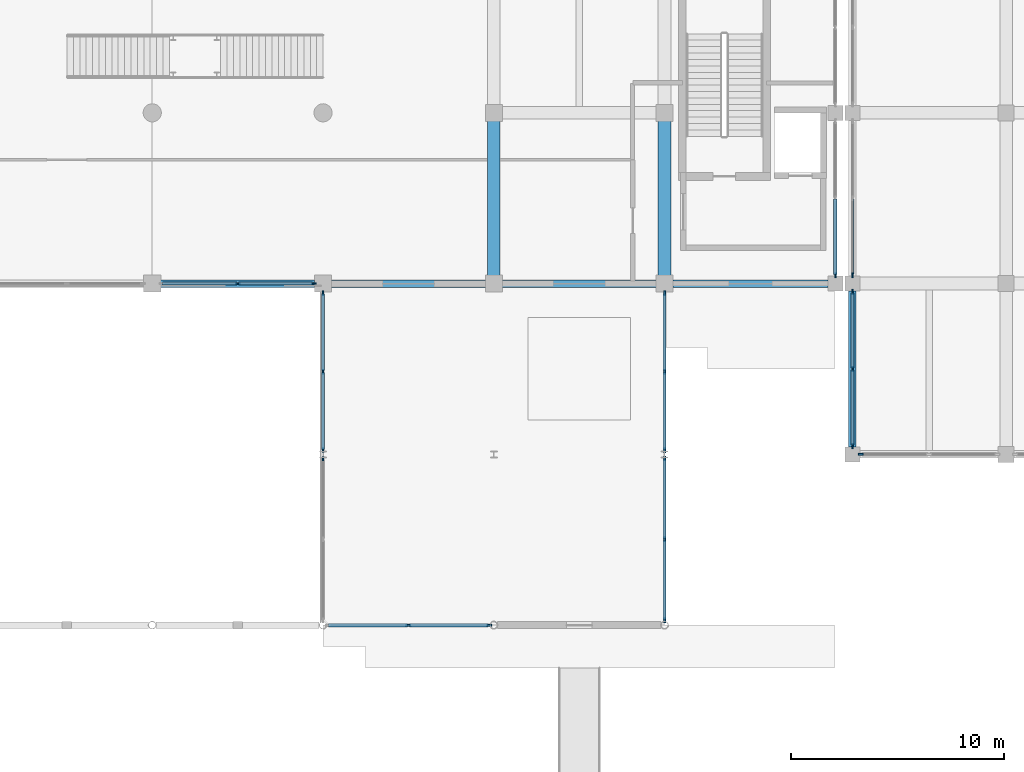
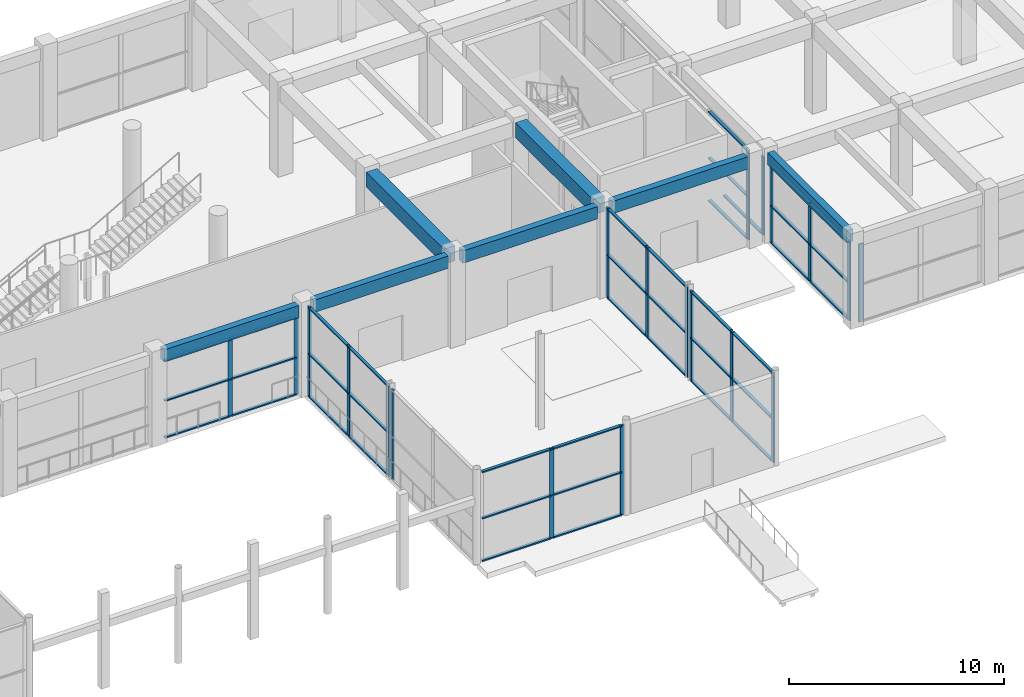
# One storey, part 19 of 86: 60 members, 7 beams, 10 elements without a shape of their own.
"""IFC4 building model written with IfcOpenShell, lengths in metres."""

from ifc_helpers import new_model, si_unit, direction, frame, origin, origin_2d, place, context, subcontext, project, spatial, rectangle, extrude, material, material_profile, profile_set, type_object, element, aggregate, save


model = new_model("IFC4")

# Units and contexts
model_context = context("Model", 3, precision=1e-05, world=origin(), true_north=direction((0.0, 1.0)))
body_context = subcontext(model_context, "Body", "Model", "MODEL_VIEW")
ifc_project = project(units=[si_unit("LENGTHUNIT", "METRE"), si_unit("AREAUNIT", "SQUARE_METRE"), si_unit("VOLUMEUNIT", "CUBIC_METRE"), si_unit("PLANEANGLEUNIT", "RADIAN"), si_unit("MASSUNIT", "GRAM", prefix="KILO")], contexts=[model_context])

# Site, building, storey
site_placement = place(None, origin())
site = spatial("IfcSite", under=ifc_project, at=site_placement, CompositionType="ELEMENT")
building_placement = place(site_placement, origin())
building = spatial("IfcBuilding", under=site, at=building_placement, Name="Kenh Van Central Station", CompositionType="ELEMENT")
storey_placement = place(building_placement, origin())
storey = spatial("IfcBuildingStorey", under=building, at=storey_placement, Name="L00", CompositionType="ELEMENT", Elevation=0.0)

# Beams
ifc_material_1 = material(Name="Concrete C35/45", Category="concrete")
ifc_material_profile_1 = material_profile(ifc_material_1, rectangle(XDim=0.60009765625, YDim=0.85009765625, at=origin_2d()), Name="RC 600x850")
ifc_profile_set_1 = profile_set([ifc_material_profile_1], Name="Concrete C35/45")
beam_type_1 = type_object("IfcBeamType", Name="BM-RC-600x850", PredefinedType="BEAM", material=ifc_profile_set_1)
for number, where, z_axis, x_axis, name in (
    (1, (104.0, 16.389892578125, 4.695068359375), (0.0, 1.0, 0.0), (-1.0, 0.0, 0.0), "L00 beam 0507"),
    (2, (112.0, 16.389892578125, 4.695068359375), (0.0, 1.0, 0.0), (-1.0, 0.0, 0.0), "L00 beam 0510"),
):
    element("IfcBeam", number, at=place(storey_placement, frame(where, z_axis=z_axis, x_axis=x_axis)), inside=storey, type_object=beam_type_1, Name=name, PredefinedType="BEAM", context=body_context, shape_type="SweptSolid", body=[
        extrude(rectangle(XDim=0.60009765625, YDim=0.85009765625, at=origin_2d()), origin(), (0.0, 0.0, 1.0), 7.22021484375),
    ])

# Curtain wall, member
ifc_material_2 = material(Name="Champagne anodised aluminium", Category="aluminium")
curtain_wall_type_1 = type_object("IfcCurtainWallType", Name="CW-OPER-A", PredefinedType="NOTDEFINED", material=ifc_material_2)
curtain_wall_1_placement = place(storey_placement, origin())
curtain_wall_1 = element("IfcCurtainWall", 3, at=curtain_wall_1_placement, inside=storey, type_object=curtain_wall_type_1, Name="L00 curtain wall 049", PredefinedType="NOTDEFINED")
ifc_material_profile_2 = material_profile(ifc_material_2, rectangle(XDim=0.087890625, YDim=0.239990234375, at=origin_2d()), Name="AL 88x240")
ifc_profile_set_2 = profile_set([ifc_material_profile_2], Name="Champagne anodised aluminium")
member_type_1 = type_object("IfcMemberType", Name="CWM-60x140", PredefinedType="MULLION", material=ifc_profile_set_2)
member_1_placement = place(storey_placement, frame((121.194091796875, 8.0, 0.0), z_axis=(0.0, 0.0, 1.0), x_axis=(0.0, 1.0, 0.0)))
member_1 = element("IfcMember", 4, at=member_1_placement, type_object=member_type_1, Name="CW-07 mullion 1", PredefinedType="MULLION", context=body_context, shape_type="SweptSolid", body=[
    extrude(rectangle(XDim=0.087890625, YDim=0.239990234375, at=origin_2d()), origin(), (0.0, 0.0, 1.0), 4.419921875),
])
aggregate(curtain_wall_1, [member_1])

curtain_wall_type_2 = type_object("IfcCurtainWallType", Name="CW-OPER-B", PredefinedType="NOTDEFINED", material=ifc_material_2)
curtain_wall_2_placement = place(storey_placement, origin())
curtain_wall_2 = element("IfcCurtainWall", 5, at=curtain_wall_2_placement, inside=storey, type_object=curtain_wall_type_2, Name="L00 curtain wall 074", PredefinedType="NOTDEFINED")
member_2_placement = place(storey_placement, frame((120.800048828125, 16.39404296875, 0.0), z_axis=(0.0, 0.0, 1.0), x_axis=(1.0, 0.0, 0.0)))
member_2 = element("IfcMember", 6, at=member_2_placement, type_object=member_type_1, Name="CW-08 mullion 3", PredefinedType="MULLION", context=body_context, shape_type="SweptSolid", body=[
    extrude(rectangle(XDim=0.087890625, YDim=0.239990234375, at=origin_2d()), origin(), (0.0, 0.0, 1.0), 4.419921875),
])

# Curtain wall, members
curtain_wall_3_placement = place(storey_placement, origin())
curtain_wall_3 = element("IfcCurtainWall", 7, at=curtain_wall_3_placement, inside=storey, type_object=curtain_wall_type_2, Name="L00 curtain wall 075", PredefinedType="NOTDEFINED")
member_3_placement = place(storey_placement, frame((120.800048828125, 15.60595703125, 0.0), z_axis=(0.0, 0.0, 1.0), x_axis=(1.0, 0.0, 0.0)))
member_3 = element("IfcMember", 8, at=member_3_placement, type_object=member_type_1, Name="CW-08 mullion 1", PredefinedType="MULLION", context=body_context, shape_type="SweptSolid", body=[
    extrude(rectangle(XDim=0.087890625, YDim=0.239990234375, at=origin_2d()), origin(), (0.0, 0.0, 1.0), 4.419921875),
])
member_4_placement = place(storey_placement, frame((120.800048828125, 12.0, 0.0), z_axis=(0.0, 0.0, 1.0), x_axis=(1.0, 0.0, 0.0)))
member_4 = element("IfcMember", 9, at=member_4_placement, type_object=member_type_1, Name="CW-08 mullion 2", PredefinedType="MULLION", context=body_context, shape_type="SweptSolid", body=[
    extrude(rectangle(XDim=0.087890625, YDim=0.239990234375, at=origin_2d()), origin(), (0.0, 0.0, 1.0), 4.419921875),
])
member_5_placement = place(storey_placement, frame((120.800048828125, 8.39404296875, 0.0), z_axis=(0.0, 0.0, 1.0), x_axis=(1.0, 0.0, 0.0)))
member_5 = element("IfcMember", 10, at=member_5_placement, type_object=member_type_1, Name="CW-08 mullion 3", PredefinedType="MULLION", context=body_context, shape_type="SweptSolid", body=[
    extrude(rectangle(XDim=0.087890625, YDim=0.239990234375, at=origin_2d()), origin(), (0.0, 0.0, 1.0), 4.419921875),
])

curtain_wall_type_3 = type_object("IfcCurtainWallType", Name="CW-RETL-A", PredefinedType="NOTDEFINED", material=ifc_material_2)
curtain_wall_4_placement = place(storey_placement, origin())
curtain_wall_4 = element("IfcCurtainWall", 11, at=curtain_wall_4_placement, inside=storey, type_object=curtain_wall_type_3, Name="L00 curtain wall 043", PredefinedType="NOTDEFINED")
ifc_material_profile_3 = material_profile(ifc_material_2, rectangle(XDim=0.0849609375, YDim=0.23193359375, at=origin_2d()), Name="AL 85x232")
ifc_profile_set_3 = profile_set([ifc_material_profile_3], Name="Champagne anodised aluminium")
member_type_2 = type_object("IfcMemberType", Name="CWM-65x160", PredefinedType="MULLION", material=ifc_profile_set_3)
member_6_placement = place(storey_placement, frame((100.0, 0.0, 0.0), z_axis=(0.0, 0.0, 1.0), x_axis=(0.0, 1.0, 0.0)))
member_6 = element("IfcMember", 12, at=member_6_placement, type_object=member_type_2, Name="CW-05 mullion 2", PredefinedType="MULLION", context=body_context, shape_type="SweptSolid", body=[
    extrude(rectangle(XDim=0.0849609375, YDim=0.23193359375, at=origin_2d()), origin(), (0.0, 0.0, 1.0), 5.10009765625),
])
member_7_placement = place(storey_placement, frame((103.77978515625, 0.0, 0.0), z_axis=(0.0, 0.0, 1.0), x_axis=(0.0, 1.0, 0.0)))
member_7 = element("IfcMember", 13, at=member_7_placement, type_object=member_type_2, Name="CW-05 mullion 3", PredefinedType="MULLION", context=body_context, shape_type="SweptSolid", body=[
    extrude(rectangle(XDim=0.0849609375, YDim=0.23193359375, at=origin_2d()), origin(), (0.0, 0.0, 1.0), 5.10009765625),
])

curtain_wall_5_placement = place(storey_placement, origin())
curtain_wall_5 = element("IfcCurtainWall", 14, at=curtain_wall_5_placement, inside=storey, type_object=curtain_wall_type_3, Name="L00 curtain wall 044", PredefinedType="NOTDEFINED")
member_8_placement = place(storey_placement, frame((96.0, 15.5576171875, 0.0), z_axis=(0.0, 0.0, 1.0), x_axis=(1.0, 0.0, 0.0)))
member_8 = element("IfcMember", 15, at=member_8_placement, type_object=member_type_2, Name="CW-05 mullion 1", PredefinedType="MULLION", context=body_context, shape_type="SweptSolid", body=[
    extrude(rectangle(XDim=0.0849609375, YDim=0.23193359375, at=origin_2d()), origin(), (0.0, 0.0, 1.0), 5.10009765625),
])
member_9_placement = place(storey_placement, frame((96.0, 11.875, 0.0), z_axis=(0.0, 0.0, 1.0), x_axis=(1.0, 0.0, 0.0)))
member_9 = element("IfcMember", 16, at=member_9_placement, type_object=member_type_2, Name="CW-05 mullion 2", PredefinedType="MULLION", context=body_context, shape_type="SweptSolid", body=[
    extrude(rectangle(XDim=0.0849609375, YDim=0.23193359375, at=origin_2d()), origin(), (0.0, 0.0, 1.0), 5.10009765625),
])
member_10_placement = place(storey_placement, frame((96.0, 8.1923828125, 0.0), z_axis=(0.0, 0.0, 1.0), x_axis=(1.0, 0.0, 0.0)))
member_10 = element("IfcMember", 17, at=member_10_placement, type_object=member_type_2, Name="CW-05 mullion 3", PredefinedType="MULLION", context=body_context, shape_type="SweptSolid", body=[
    extrude(rectangle(XDim=0.0849609375, YDim=0.23193359375, at=origin_2d()), origin(), (0.0, 0.0, 1.0), 5.10009765625),
])

# Curtain wall, member
curtain_wall_6_placement = place(storey_placement, origin())
curtain_wall_6 = element("IfcCurtainWall", 18, at=curtain_wall_6_placement, inside=storey, type_object=curtain_wall_type_3, Name="L00 curtain wall 045", PredefinedType="NOTDEFINED")
member_11_placement = place(storey_placement, frame((96.0, 7.8076171875, 0.0), z_axis=(0.0, 0.0, 1.0), x_axis=(1.0, 0.0, 0.0)))
member_11 = element("IfcMember", 19, at=member_11_placement, type_object=member_type_2, Name="CW-05 mullion 1", PredefinedType="MULLION", context=body_context, shape_type="SweptSolid", body=[
    extrude(rectangle(XDim=0.0849609375, YDim=0.23193359375, at=origin_2d()), origin(), (0.0, 0.0, 1.0), 5.10009765625),
])
aggregate(curtain_wall_6, [member_11])

# Curtain wall, members
curtain_wall_7_placement = place(storey_placement, origin())
curtain_wall_7 = element("IfcCurtainWall", 20, at=curtain_wall_7_placement, inside=storey, type_object=curtain_wall_type_3, Name="L00 curtain wall 046", PredefinedType="NOTDEFINED")
member_12_placement = place(storey_placement, frame((112.0, 0.22021484375, 0.0), z_axis=(0.0, 0.0, 1.0), x_axis=(-1.0, 0.0, 0.0)))
member_12 = element("IfcMember", 21, at=member_12_placement, type_object=member_type_2, Name="CW-05 mullion 1", PredefinedType="MULLION", context=body_context, shape_type="SweptSolid", body=[
    extrude(rectangle(XDim=0.0849609375, YDim=0.23193359375, at=origin_2d()), origin(), (0.0, 0.0, 1.0), 5.10009765625),
])
member_13_placement = place(storey_placement, frame((112.0, 4.013916015625, 0.0), z_axis=(0.0, 0.0, 1.0), x_axis=(-1.0, 0.0, 0.0)))
member_13 = element("IfcMember", 22, at=member_13_placement, type_object=member_type_2, Name="CW-05 mullion 2", PredefinedType="MULLION", context=body_context, shape_type="SweptSolid", body=[
    extrude(rectangle(XDim=0.0849609375, YDim=0.23193359375, at=origin_2d()), origin(), (0.0, 0.0, 1.0), 5.10009765625),
])
member_14_placement = place(storey_placement, frame((112.0, 7.8076171875, 0.0), z_axis=(0.0, 0.0, 1.0), x_axis=(-1.0, 0.0, 0.0)))
member_14 = element("IfcMember", 23, at=member_14_placement, type_object=member_type_2, Name="CW-05 mullion 3", PredefinedType="MULLION", context=body_context, shape_type="SweptSolid", body=[
    extrude(rectangle(XDim=0.0849609375, YDim=0.23193359375, at=origin_2d()), origin(), (0.0, 0.0, 1.0), 5.10009765625),
])

curtain_wall_8_placement = place(storey_placement, origin())
curtain_wall_8 = element("IfcCurtainWall", 24, at=curtain_wall_8_placement, inside=storey, type_object=curtain_wall_type_3, Name="L00 curtain wall 047", PredefinedType="NOTDEFINED")
member_15_placement = place(storey_placement, frame((112.0, 8.1923828125, 0.0), z_axis=(0.0, 0.0, 1.0), x_axis=(-1.0, 0.0, 0.0)))
member_15 = element("IfcMember", 25, at=member_15_placement, type_object=member_type_2, Name="CW-05 mullion 1", PredefinedType="MULLION", context=body_context, shape_type="SweptSolid", body=[
    extrude(rectangle(XDim=0.0849609375, YDim=0.23193359375, at=origin_2d()), origin(), (0.0, 0.0, 1.0), 5.10009765625),
])
member_16_placement = place(storey_placement, frame((112.0, 11.875, 0.0), z_axis=(0.0, 0.0, 1.0), x_axis=(-1.0, 0.0, 0.0)))
member_16 = element("IfcMember", 26, at=member_16_placement, type_object=member_type_2, Name="CW-05 mullion 2", PredefinedType="MULLION", context=body_context, shape_type="SweptSolid", body=[
    extrude(rectangle(XDim=0.0849609375, YDim=0.23193359375, at=origin_2d()), origin(), (0.0, 0.0, 1.0), 5.10009765625),
])
member_17_placement = place(storey_placement, frame((112.0, 15.5576171875, 0.0), z_axis=(0.0, 0.0, 1.0), x_axis=(-1.0, 0.0, 0.0)))
member_17 = element("IfcMember", 27, at=member_17_placement, type_object=member_type_2, Name="CW-05 mullion 3", PredefinedType="MULLION", context=body_context, shape_type="SweptSolid", body=[
    extrude(rectangle(XDim=0.0849609375, YDim=0.23193359375, at=origin_2d()), origin(), (0.0, 0.0, 1.0), 5.10009765625),
])

curtain_wall_type_4 = type_object("IfcCurtainWallType", Name="CW-CONC-A", PredefinedType="NOTDEFINED", material=ifc_material_2)
curtain_wall_9_placement = place(storey_placement, origin())
curtain_wall_9 = element("IfcCurtainWall", 28, at=curtain_wall_9_placement, inside=storey, type_object=curtain_wall_type_4, Name="L00 curtain wall 024", PredefinedType="NOTDEFINED")
ifc_material_profile_4 = material_profile(ifc_material_2, rectangle(XDim=0.08203125, YDim=0.22509765625, at=origin_2d()), Name="AL 82x225")
ifc_profile_set_4 = profile_set([ifc_material_profile_4], Name="Champagne anodised aluminium")
member_type_3 = type_object("IfcMemberType", Name="CWM-70x180", PredefinedType="MULLION", material=ifc_profile_set_4)
member_18_placement = place(storey_placement, frame((92.0, 16.0, 0.0), z_axis=(0.0, 0.0, 1.0), x_axis=(0.0, 1.0, 0.0)))
member_18 = element("IfcMember", 29, at=member_18_placement, type_object=member_type_3, Name="CW-03 mullion 2", PredefinedType="MULLION", context=body_context, shape_type="SweptSolid", body=[
    extrude(rectangle(XDim=0.08203125, YDim=0.22509765625, at=origin_2d()), origin(), (0.0, 0.0, 1.0), 4.419921875),
])
member_19_placement = place(storey_placement, frame((95.55908203125, 16.0, 0.0), z_axis=(0.0, 0.0, 1.0), x_axis=(0.0, 1.0, 0.0)))
member_19 = element("IfcMember", 30, at=member_19_placement, type_object=member_type_3, Name="CW-03 mullion 3", PredefinedType="MULLION", context=body_context, shape_type="SweptSolid", body=[
    extrude(rectangle(XDim=0.08203125, YDim=0.22509765625, at=origin_2d()), origin(), (0.0, 0.0, 1.0), 4.419921875),
])

# Curtain wall, member
curtain_wall_type_5 = type_object("IfcCurtainWallType", Name="CW-CONC-B", PredefinedType="NOTDEFINED", material=ifc_material_2)
curtain_wall_10_placement = place(storey_placement, origin())
curtain_wall_10 = element("IfcCurtainWall", 31, at=curtain_wall_10_placement, inside=storey, type_object=curtain_wall_type_5, Name="L00 curtain wall 033", PredefinedType="NOTDEFINED")
member_20_placement = place(storey_placement, frame((120.0, 16.39111328125, 0.0), z_axis=(0.0, 0.0, 1.0), x_axis=(-1.0, 0.0, 0.0)))
member_20 = element("IfcMember", 32, at=member_20_placement, type_object=member_type_3, Name="CW-04 mullion 1", PredefinedType="MULLION", context=body_context, shape_type="SweptSolid", body=[
    extrude(rectangle(XDim=0.08203125, YDim=0.22509765625, at=origin_2d()), origin(), (0.0, 0.0, 1.0), 5.10009765625),
])

# Member
ifc_material_profile_5 = material_profile(ifc_material_2, rectangle(XDim=0.155029296875, YDim=0.072021484375, at=origin_2d()), Name="AL 155x72")
ifc_profile_set_5 = profile_set([ifc_material_profile_5], Name="Champagne anodised aluminium")
member_type_4 = type_object("IfcMemberType", Name="CWT-120x60", PredefinedType="USERDEFINED", material=ifc_profile_set_5)
member_21_placement = place(storey_placement, frame((88.48193359375, 16.0, 0.035888671875), z_axis=(1.0, 0.0, 0.0), x_axis=(0.0, 1.0, 0.0)))
member_21 = element("IfcMember", 33, at=member_21_placement, type_object=member_type_4, Name="CW-03 transom 1.1", ObjectType="TRANSOM", PredefinedType="USERDEFINED", context=body_context, shape_type="SweptSolid", body=[
    extrude(rectangle(XDim=0.155029296875, YDim=0.072021484375, at=origin_2d()), origin(), (0.0, 0.0, 1.0), 3.47705078125),
])

member_22_placement = place(storey_placement, frame((88.48193359375, 16.0, 2.12158203125), z_axis=(1.0, 0.0, 0.0), x_axis=(0.0, 1.0, 0.0)))
member_22 = element("IfcMember", 34, at=member_22_placement, type_object=member_type_4, Name="CW-03 transom 1.2", ObjectType="TRANSOM", PredefinedType="USERDEFINED", context=body_context, shape_type="SweptSolid", body=[
    extrude(rectangle(XDim=0.155029296875, YDim=0.072021484375, at=origin_2d()), origin(), (0.0, 0.0, 1.0), 3.47705078125),
])

member_23_placement = place(storey_placement, frame((88.48193359375, 16.0, 4.384033203125), z_axis=(1.0, 0.0, 0.0), x_axis=(0.0, 1.0, 0.0)))
member_23 = element("IfcMember", 35, at=member_23_placement, type_object=member_type_4, Name="CW-03 transom 1.3", ObjectType="TRANSOM", PredefinedType="USERDEFINED", context=body_context, shape_type="SweptSolid", body=[
    extrude(rectangle(XDim=0.155029296875, YDim=0.072021484375, at=origin_2d()), origin(), (0.0, 0.0, 1.0), 3.47705078125),
])

member_24_placement = place(storey_placement, frame((92.041015625, 16.0, 0.035888671875), z_axis=(1.0, 0.0, 0.0), x_axis=(0.0, 1.0, 0.0)))
member_24 = element("IfcMember", 36, at=member_24_placement, type_object=member_type_4, Name="CW-03 transom 2.1", ObjectType="TRANSOM", PredefinedType="USERDEFINED", context=body_context, shape_type="SweptSolid", body=[
    extrude(rectangle(XDim=0.155029296875, YDim=0.072021484375, at=origin_2d()), origin(), (0.0, 0.0, 1.0), 3.47705078125),
])

member_25_placement = place(storey_placement, frame((92.041015625, 16.0, 2.12158203125), z_axis=(1.0, 0.0, 0.0), x_axis=(0.0, 1.0, 0.0)))
member_25 = element("IfcMember", 37, at=member_25_placement, type_object=member_type_4, Name="CW-03 transom 2.2", ObjectType="TRANSOM", PredefinedType="USERDEFINED", context=body_context, shape_type="SweptSolid", body=[
    extrude(rectangle(XDim=0.155029296875, YDim=0.072021484375, at=origin_2d()), origin(), (0.0, 0.0, 1.0), 3.47705078125),
])

member_26_placement = place(storey_placement, frame((92.041015625, 16.0, 4.384033203125), z_axis=(1.0, 0.0, 0.0), x_axis=(0.0, 1.0, 0.0)))
member_26 = element("IfcMember", 38, at=member_26_placement, type_object=member_type_4, Name="CW-03 transom 2.3", ObjectType="TRANSOM", PredefinedType="USERDEFINED", context=body_context, shape_type="SweptSolid", body=[
    extrude(rectangle(XDim=0.155029296875, YDim=0.072021484375, at=origin_2d()), origin(), (0.0, 0.0, 1.0), 3.47705078125),
])

aggregate(curtain_wall_9, [member_18, member_19, member_21, member_22, member_23, member_24, member_25, member_26])

member_27_placement = place(storey_placement, frame((120.0, 16.431884765625, 0.035888671875), z_axis=(0.0, 1.0, 0.0), x_axis=(-1.0, 0.0, 0.0)))
member_27 = element("IfcMember", 39, at=member_27_placement, type_object=member_type_4, Name="CW-04 transom 1.1", ObjectType="TRANSOM", PredefinedType="USERDEFINED", context=body_context, shape_type="SweptSolid", body=[
    extrude(rectangle(XDim=0.155029296875, YDim=0.072021484375, at=origin_2d()), origin(), (0.0, 0.0, 1.0), 3.527099609375),
])

member_28_placement = place(storey_placement, frame((120.0, 16.431884765625, 2.447998046875), z_axis=(0.0, 1.0, 0.0), x_axis=(-1.0, 0.0, 0.0)))
member_28 = element("IfcMember", 40, at=member_28_placement, type_object=member_type_4, Name="CW-04 transom 1.2", ObjectType="TRANSOM", PredefinedType="USERDEFINED", context=body_context, shape_type="SweptSolid", body=[
    extrude(rectangle(XDim=0.155029296875, YDim=0.072021484375, at=origin_2d()), origin(), (0.0, 0.0, 1.0), 3.527099609375),
])

member_29_placement = place(storey_placement, frame((120.0, 16.431884765625, 5.06396484375), z_axis=(0.0, 1.0, 0.0), x_axis=(-1.0, 0.0, 0.0)))
member_29 = element("IfcMember", 41, at=member_29_placement, type_object=member_type_4, Name="CW-04 transom 1.3", ObjectType="TRANSOM", PredefinedType="USERDEFINED", context=body_context, shape_type="SweptSolid", body=[
    extrude(rectangle(XDim=0.155029296875, YDim=0.072021484375, at=origin_2d()), origin(), (0.0, 0.0, 1.0), 3.527099609375),
])

aggregate(curtain_wall_10, [member_20, member_27, member_28, member_29])

member_30_placement = place(storey_placement, frame((96.2626953125, 0.0, 0.035888671875), z_axis=(1.0, 0.0, 0.0), x_axis=(0.0, 1.0, 0.0)))
member_30 = element("IfcMember", 42, at=member_30_placement, type_object=member_type_4, Name="CW-05 transom 1.1", ObjectType="TRANSOM", PredefinedType="USERDEFINED", context=body_context, shape_type="SweptSolid", body=[
    extrude(rectangle(XDim=0.155029296875, YDim=0.072021484375, at=origin_2d()), origin(), (0.0, 0.0, 1.0), 3.69482421875),
])

member_31_placement = place(storey_placement, frame((96.2626953125, 0.0, 2.447998046875), z_axis=(1.0, 0.0, 0.0), x_axis=(0.0, 1.0, 0.0)))
member_31 = element("IfcMember", 43, at=member_31_placement, type_object=member_type_4, Name="CW-05 transom 1.2", ObjectType="TRANSOM", PredefinedType="USERDEFINED", context=body_context, shape_type="SweptSolid", body=[
    extrude(rectangle(XDim=0.155029296875, YDim=0.072021484375, at=origin_2d()), origin(), (0.0, 0.0, 1.0), 3.69482421875),
])

member_32_placement = place(storey_placement, frame((96.2626953125, 0.0, 5.06396484375), z_axis=(1.0, 0.0, 0.0), x_axis=(0.0, 1.0, 0.0)))
member_32 = element("IfcMember", 44, at=member_32_placement, type_object=member_type_4, Name="CW-05 transom 1.3", ObjectType="TRANSOM", PredefinedType="USERDEFINED", context=body_context, shape_type="SweptSolid", body=[
    extrude(rectangle(XDim=0.155029296875, YDim=0.072021484375, at=origin_2d()), origin(), (0.0, 0.0, 1.0), 3.69482421875),
])

member_33_placement = place(storey_placement, frame((100.04248046875, 0.0, 0.035888671875), z_axis=(1.0, 0.0, 0.0), x_axis=(0.0, 1.0, 0.0)))
member_33 = element("IfcMember", 45, at=member_33_placement, type_object=member_type_4, Name="CW-05 transom 2.1", ObjectType="TRANSOM", PredefinedType="USERDEFINED", context=body_context, shape_type="SweptSolid", body=[
    extrude(rectangle(XDim=0.155029296875, YDim=0.072021484375, at=origin_2d()), origin(), (0.0, 0.0, 1.0), 3.69482421875),
])

member_34_placement = place(storey_placement, frame((100.04248046875, 0.0, 2.447998046875), z_axis=(1.0, 0.0, 0.0), x_axis=(0.0, 1.0, 0.0)))
member_34 = element("IfcMember", 46, at=member_34_placement, type_object=member_type_4, Name="CW-05 transom 2.2", ObjectType="TRANSOM", PredefinedType="USERDEFINED", context=body_context, shape_type="SweptSolid", body=[
    extrude(rectangle(XDim=0.155029296875, YDim=0.072021484375, at=origin_2d()), origin(), (0.0, 0.0, 1.0), 3.69482421875),
])

member_35_placement = place(storey_placement, frame((100.04248046875, 0.0, 5.06396484375), z_axis=(1.0, 0.0, 0.0), x_axis=(0.0, 1.0, 0.0)))
member_35 = element("IfcMember", 47, at=member_35_placement, type_object=member_type_4, Name="CW-05 transom 2.3", ObjectType="TRANSOM", PredefinedType="USERDEFINED", context=body_context, shape_type="SweptSolid", body=[
    extrude(rectangle(XDim=0.155029296875, YDim=0.072021484375, at=origin_2d()), origin(), (0.0, 0.0, 1.0), 3.69482421875),
])

aggregate(curtain_wall_4, [member_6, member_7, member_30, member_31, member_32, member_33, member_34, member_35])

member_36_placement = place(storey_placement, frame((96.0, 15.514892578125, 0.035888671875), z_axis=(0.0, -1.0, 0.0), x_axis=(1.0, 0.0, 0.0)))
member_36 = element("IfcMember", 48, at=member_36_placement, type_object=member_type_4, Name="CW-05 transom 1.1", ObjectType="TRANSOM", PredefinedType="USERDEFINED", context=body_context, shape_type="SweptSolid", body=[
    extrude(rectangle(XDim=0.155029296875, YDim=0.072021484375, at=origin_2d()), origin(), (0.0, 0.0, 1.0), 3.597412109375),
])

member_37_placement = place(storey_placement, frame((96.0, 15.514892578125, 2.447998046875), z_axis=(0.0, -1.0, 0.0), x_axis=(1.0, 0.0, 0.0)))
member_37 = element("IfcMember", 49, at=member_37_placement, type_object=member_type_4, Name="CW-05 transom 1.2", ObjectType="TRANSOM", PredefinedType="USERDEFINED", context=body_context, shape_type="SweptSolid", body=[
    extrude(rectangle(XDim=0.155029296875, YDim=0.072021484375, at=origin_2d()), origin(), (0.0, 0.0, 1.0), 3.597412109375),
])

member_38_placement = place(storey_placement, frame((96.0, 15.514892578125, 5.06396484375), z_axis=(0.0, -1.0, 0.0), x_axis=(1.0, 0.0, 0.0)))
member_38 = element("IfcMember", 50, at=member_38_placement, type_object=member_type_4, Name="CW-05 transom 1.3", ObjectType="TRANSOM", PredefinedType="USERDEFINED", context=body_context, shape_type="SweptSolid", body=[
    extrude(rectangle(XDim=0.155029296875, YDim=0.072021484375, at=origin_2d()), origin(), (0.0, 0.0, 1.0), 3.597412109375),
])

member_39_placement = place(storey_placement, frame((96.0, 11.83251953125, 0.035888671875), z_axis=(0.0, -1.0, 0.0), x_axis=(1.0, 0.0, 0.0)))
member_39 = element("IfcMember", 51, at=member_39_placement, type_object=member_type_4, Name="CW-05 transom 2.1", ObjectType="TRANSOM", PredefinedType="USERDEFINED", context=body_context, shape_type="SweptSolid", body=[
    extrude(rectangle(XDim=0.155029296875, YDim=0.072021484375, at=origin_2d()), origin(), (0.0, 0.0, 1.0), 3.597412109375),
])

member_40_placement = place(storey_placement, frame((96.0, 11.83251953125, 2.447998046875), z_axis=(0.0, -1.0, 0.0), x_axis=(1.0, 0.0, 0.0)))
member_40 = element("IfcMember", 52, at=member_40_placement, type_object=member_type_4, Name="CW-05 transom 2.2", ObjectType="TRANSOM", PredefinedType="USERDEFINED", context=body_context, shape_type="SweptSolid", body=[
    extrude(rectangle(XDim=0.155029296875, YDim=0.072021484375, at=origin_2d()), origin(), (0.0, 0.0, 1.0), 3.597412109375),
])

member_41_placement = place(storey_placement, frame((96.0, 11.83251953125, 5.06396484375), z_axis=(0.0, -1.0, 0.0), x_axis=(1.0, 0.0, 0.0)))
member_41 = element("IfcMember", 53, at=member_41_placement, type_object=member_type_4, Name="CW-05 transom 2.3", ObjectType="TRANSOM", PredefinedType="USERDEFINED", context=body_context, shape_type="SweptSolid", body=[
    extrude(rectangle(XDim=0.155029296875, YDim=0.072021484375, at=origin_2d()), origin(), (0.0, 0.0, 1.0), 3.597412109375),
])

aggregate(curtain_wall_5, [member_8, member_9, member_10, member_36, member_37, member_38, member_39, member_40, member_41])

member_42_placement = place(storey_placement, frame((112.0, 0.2626953125, 0.035888671875), z_axis=(0.0, 1.0, 0.0), x_axis=(-1.0, 0.0, 0.0)))
member_42 = element("IfcMember", 54, at=member_42_placement, type_object=member_type_4, Name="CW-05 transom 1.1", ObjectType="TRANSOM", PredefinedType="USERDEFINED", context=body_context, shape_type="SweptSolid", body=[
    extrude(rectangle(XDim=0.155029296875, YDim=0.072021484375, at=origin_2d()), origin(), (0.0, 0.0, 1.0), 3.708740234375),
])

member_43_placement = place(storey_placement, frame((112.0, 0.2626953125, 2.447998046875), z_axis=(0.0, 1.0, 0.0), x_axis=(-1.0, 0.0, 0.0)))
member_43 = element("IfcMember", 55, at=member_43_placement, type_object=member_type_4, Name="CW-05 transom 1.2", ObjectType="TRANSOM", PredefinedType="USERDEFINED", context=body_context, shape_type="SweptSolid", body=[
    extrude(rectangle(XDim=0.155029296875, YDim=0.072021484375, at=origin_2d()), origin(), (0.0, 0.0, 1.0), 3.708740234375),
])

member_44_placement = place(storey_placement, frame((112.0, 0.2626953125, 5.06396484375), z_axis=(0.0, 1.0, 0.0), x_axis=(-1.0, 0.0, 0.0)))
member_44 = element("IfcMember", 56, at=member_44_placement, type_object=member_type_4, Name="CW-05 transom 1.3", ObjectType="TRANSOM", PredefinedType="USERDEFINED", context=body_context, shape_type="SweptSolid", body=[
    extrude(rectangle(XDim=0.155029296875, YDim=0.072021484375, at=origin_2d()), origin(), (0.0, 0.0, 1.0), 3.708740234375),
])

member_45_placement = place(storey_placement, frame((112.0, 4.056396484375, 0.035888671875), z_axis=(0.0, 1.0, 0.0), x_axis=(-1.0, 0.0, 0.0)))
member_45 = element("IfcMember", 57, at=member_45_placement, type_object=member_type_4, Name="CW-05 transom 2.1", ObjectType="TRANSOM", PredefinedType="USERDEFINED", context=body_context, shape_type="SweptSolid", body=[
    extrude(rectangle(XDim=0.155029296875, YDim=0.072021484375, at=origin_2d()), origin(), (0.0, 0.0, 1.0), 3.70849609375),
])

member_46_placement = place(storey_placement, frame((112.0, 4.056396484375, 2.447998046875), z_axis=(0.0, 1.0, 0.0), x_axis=(-1.0, 0.0, 0.0)))
member_46 = element("IfcMember", 58, at=member_46_placement, type_object=member_type_4, Name="CW-05 transom 2.2", ObjectType="TRANSOM", PredefinedType="USERDEFINED", context=body_context, shape_type="SweptSolid", body=[
    extrude(rectangle(XDim=0.155029296875, YDim=0.072021484375, at=origin_2d()), origin(), (0.0, 0.0, 1.0), 3.70849609375),
])

member_47_placement = place(storey_placement, frame((112.0, 4.056396484375, 5.06396484375), z_axis=(0.0, 1.0, 0.0), x_axis=(-1.0, 0.0, 0.0)))
member_47 = element("IfcMember", 59, at=member_47_placement, type_object=member_type_4, Name="CW-05 transom 2.3", ObjectType="TRANSOM", PredefinedType="USERDEFINED", context=body_context, shape_type="SweptSolid", body=[
    extrude(rectangle(XDim=0.155029296875, YDim=0.072021484375, at=origin_2d()), origin(), (0.0, 0.0, 1.0), 3.70849609375),
])

aggregate(curtain_wall_7, [member_12, member_13, member_14, member_42, member_43, member_44, member_45, member_46, member_47])

member_48_placement = place(storey_placement, frame((112.0, 8.235107421875, 0.035888671875), z_axis=(0.0, 1.0, 0.0), x_axis=(-1.0, 0.0, 0.0)))
member_48 = element("IfcMember", 60, at=member_48_placement, type_object=member_type_4, Name="CW-05 transom 1.1", ObjectType="TRANSOM", PredefinedType="USERDEFINED", context=body_context, shape_type="SweptSolid", body=[
    extrude(rectangle(XDim=0.155029296875, YDim=0.072021484375, at=origin_2d()), origin(), (0.0, 0.0, 1.0), 3.597412109375),
])

member_49_placement = place(storey_placement, frame((112.0, 8.235107421875, 2.447998046875), z_axis=(0.0, 1.0, 0.0), x_axis=(-1.0, 0.0, 0.0)))
member_49 = element("IfcMember", 61, at=member_49_placement, type_object=member_type_4, Name="CW-05 transom 1.2", ObjectType="TRANSOM", PredefinedType="USERDEFINED", context=body_context, shape_type="SweptSolid", body=[
    extrude(rectangle(XDim=0.155029296875, YDim=0.072021484375, at=origin_2d()), origin(), (0.0, 0.0, 1.0), 3.597412109375),
])

member_50_placement = place(storey_placement, frame((112.0, 8.235107421875, 5.06396484375), z_axis=(0.0, 1.0, 0.0), x_axis=(-1.0, 0.0, 0.0)))
member_50 = element("IfcMember", 62, at=member_50_placement, type_object=member_type_4, Name="CW-05 transom 1.3", ObjectType="TRANSOM", PredefinedType="USERDEFINED", context=body_context, shape_type="SweptSolid", body=[
    extrude(rectangle(XDim=0.155029296875, YDim=0.072021484375, at=origin_2d()), origin(), (0.0, 0.0, 1.0), 3.597412109375),
])

member_51_placement = place(storey_placement, frame((112.0, 11.91748046875, 0.035888671875), z_axis=(0.0, 1.0, 0.0), x_axis=(-1.0, 0.0, 0.0)))
member_51 = element("IfcMember", 63, at=member_51_placement, type_object=member_type_4, Name="CW-05 transom 2.1", ObjectType="TRANSOM", PredefinedType="USERDEFINED", context=body_context, shape_type="SweptSolid", body=[
    extrude(rectangle(XDim=0.155029296875, YDim=0.072021484375, at=origin_2d()), origin(), (0.0, 0.0, 1.0), 3.597412109375),
])

member_52_placement = place(storey_placement, frame((112.0, 11.91748046875, 2.447998046875), z_axis=(0.0, 1.0, 0.0), x_axis=(-1.0, 0.0, 0.0)))
member_52 = element("IfcMember", 64, at=member_52_placement, type_object=member_type_4, Name="CW-05 transom 2.2", ObjectType="TRANSOM", PredefinedType="USERDEFINED", context=body_context, shape_type="SweptSolid", body=[
    extrude(rectangle(XDim=0.155029296875, YDim=0.072021484375, at=origin_2d()), origin(), (0.0, 0.0, 1.0), 3.597412109375),
])

member_53_placement = place(storey_placement, frame((112.0, 11.91748046875, 5.06396484375), z_axis=(0.0, 1.0, 0.0), x_axis=(-1.0, 0.0, 0.0)))
member_53 = element("IfcMember", 65, at=member_53_placement, type_object=member_type_4, Name="CW-05 transom 2.3", ObjectType="TRANSOM", PredefinedType="USERDEFINED", context=body_context, shape_type="SweptSolid", body=[
    extrude(rectangle(XDim=0.155029296875, YDim=0.072021484375, at=origin_2d()), origin(), (0.0, 0.0, 1.0), 3.597412109375),
])

aggregate(curtain_wall_8, [member_15, member_16, member_17, member_48, member_49, member_50, member_51, member_52, member_53])

member_54_placement = place(storey_placement, frame((120.800048828125, 19.9560546875, 0.035888671875), z_axis=(0.0, -1.0, 0.0), x_axis=(1.0, 0.0, 0.0)))
member_54 = element("IfcMember", 66, at=member_54_placement, type_object=member_type_4, Name="CW-08 transom 2.1", ObjectType="TRANSOM", PredefinedType="USERDEFINED", context=body_context, shape_type="SweptSolid", body=[
    extrude(rectangle(XDim=0.155029296875, YDim=0.072021484375, at=origin_2d()), origin(), (0.0, 0.0, 1.0), 3.51806640625),
])

aggregate(curtain_wall_2, [member_2, member_54])

member_55_placement = place(storey_placement, frame((120.800048828125, 15.56201171875, 0.035888671875), z_axis=(0.0, -1.0, 0.0), x_axis=(1.0, 0.0, 0.0)))
member_55 = element("IfcMember", 67, at=member_55_placement, type_object=member_type_4, Name="CW-08 transom 1.1", ObjectType="TRANSOM", PredefinedType="USERDEFINED", context=body_context, shape_type="SweptSolid", body=[
    extrude(rectangle(XDim=0.155029296875, YDim=0.072021484375, at=origin_2d()), origin(), (0.0, 0.0, 1.0), 3.51806640625),
])

member_56_placement = place(storey_placement, frame((120.800048828125, 15.56201171875, 2.12158203125), z_axis=(0.0, -1.0, 0.0), x_axis=(1.0, 0.0, 0.0)))
member_56 = element("IfcMember", 68, at=member_56_placement, type_object=member_type_4, Name="CW-08 transom 1.2", ObjectType="TRANSOM", PredefinedType="USERDEFINED", context=body_context, shape_type="SweptSolid", body=[
    extrude(rectangle(XDim=0.155029296875, YDim=0.072021484375, at=origin_2d()), origin(), (0.0, 0.0, 1.0), 3.51806640625),
])

member_57_placement = place(storey_placement, frame((120.800048828125, 15.56201171875, 4.384033203125), z_axis=(0.0, -1.0, 0.0), x_axis=(1.0, 0.0, 0.0)))
member_57 = element("IfcMember", 69, at=member_57_placement, type_object=member_type_4, Name="CW-08 transom 1.3", ObjectType="TRANSOM", PredefinedType="USERDEFINED", context=body_context, shape_type="SweptSolid", body=[
    extrude(rectangle(XDim=0.155029296875, YDim=0.072021484375, at=origin_2d()), origin(), (0.0, 0.0, 1.0), 3.51806640625),
])

member_58_placement = place(storey_placement, frame((120.800048828125, 11.9560546875, 0.035888671875), z_axis=(0.0, -1.0, 0.0), x_axis=(1.0, 0.0, 0.0)))
member_58 = element("IfcMember", 70, at=member_58_placement, type_object=member_type_4, Name="CW-08 transom 2.1", ObjectType="TRANSOM", PredefinedType="USERDEFINED", context=body_context, shape_type="SweptSolid", body=[
    extrude(rectangle(XDim=0.155029296875, YDim=0.072021484375, at=origin_2d()), origin(), (0.0, 0.0, 1.0), 3.51806640625),
])

member_59_placement = place(storey_placement, frame((120.800048828125, 11.9560546875, 2.12158203125), z_axis=(0.0, -1.0, 0.0), x_axis=(1.0, 0.0, 0.0)))
member_59 = element("IfcMember", 71, at=member_59_placement, type_object=member_type_4, Name="CW-08 transom 2.2", ObjectType="TRANSOM", PredefinedType="USERDEFINED", context=body_context, shape_type="SweptSolid", body=[
    extrude(rectangle(XDim=0.155029296875, YDim=0.072021484375, at=origin_2d()), origin(), (0.0, 0.0, 1.0), 3.51806640625),
])

member_60_placement = place(storey_placement, frame((120.800048828125, 11.9560546875, 4.384033203125), z_axis=(0.0, -1.0, 0.0), x_axis=(1.0, 0.0, 0.0)))
member_60 = element("IfcMember", 72, at=member_60_placement, type_object=member_type_4, Name="CW-08 transom 2.3", ObjectType="TRANSOM", PredefinedType="USERDEFINED", context=body_context, shape_type="SweptSolid", body=[
    extrude(rectangle(XDim=0.155029296875, YDim=0.072021484375, at=origin_2d()), origin(), (0.0, 0.0, 1.0), 3.51806640625),
])

aggregate(curtain_wall_3, [member_3, member_4, member_5, member_55, member_56, member_57, member_58, member_59, member_60])

# Beams
ifc_material_profile_6 = material_profile(ifc_material_1, rectangle(XDim=0.35009765625, YDim=0.699951171875, at=origin_2d()), Name="RC 350x700")
ifc_profile_set_6 = profile_set([ifc_material_profile_6], Name="Concrete C35/45")
beam_type_2 = type_object("IfcBeamType", Name="SPD-RC-350x700", PredefinedType="SPANDREL", material=ifc_profile_set_6)
for number, where, z_axis, x_axis, name in (
    (73, (88.389892578125, 16.0, 4.77001953125), (1.0, 0.0, 0.0), (0.0, 1.0, 0.0), "L00 beam 0369"),
    (74, (96.389892578125, 16.0, 4.77001953125), (1.0, 0.0, 0.0), (0.0, 1.0, 0.0), "L00 beam 0370"),
    (75, (104.389892578125, 16.0, 4.77001953125), (1.0, 0.0, 0.0), (0.0, 1.0, 0.0), "L00 beam 0371"),
):
    element("IfcBeam", number, at=place(storey_placement, frame(where, z_axis=z_axis, x_axis=x_axis)), inside=storey, type_object=beam_type_2, Name=name, PredefinedType="SPANDREL", context=body_context, shape_type="SweptSolid", body=[
        extrude(rectangle(XDim=0.35009765625, YDim=0.699951171875, at=origin_2d()), origin(), (0.0, 0.0, 1.0), 7.22021484375),
    ])
beam_1_placement = place(storey_placement, frame((112.389892578125, 16.0, 4.77001953125), z_axis=(1.0, 0.0, 0.0), x_axis=(0.0, 1.0, 0.0)))
element("IfcBeam", 76, at=beam_1_placement, inside=storey, type_object=beam_type_2, Name="L00 beam 0372", PredefinedType="SPANDREL", context=body_context, shape_type="SweptSolid", body=[
    extrude(rectangle(XDim=0.35009765625, YDim=0.699951171875, at=origin_2d()), origin(), (0.0, 0.0, 1.0), 7.27001953125),
])
beam_2_placement = place(storey_placement, frame((120.800048828125, 8.340087890625, 4.77001953125), z_axis=(0.0, 1.0, 0.0), x_axis=(-1.0, 0.0, 0.0)))
element("IfcBeam", 77, at=beam_2_placement, inside=storey, type_object=beam_type_2, Name="L00 beam 0513", PredefinedType="SPANDREL", context=body_context, shape_type="SweptSolid", body=[
    extrude(rectangle(XDim=0.35009765625, YDim=0.699951171875, at=origin_2d()), origin(), (0.0, 0.0, 1.0), 7.31982421875),
])

save(model, "model.ifc")
